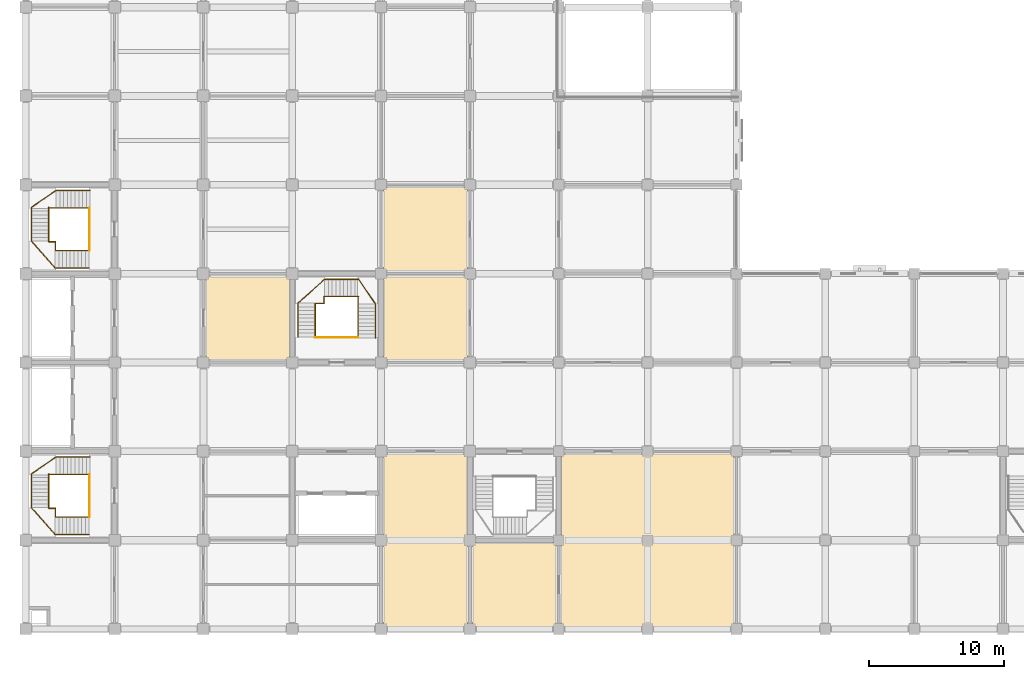
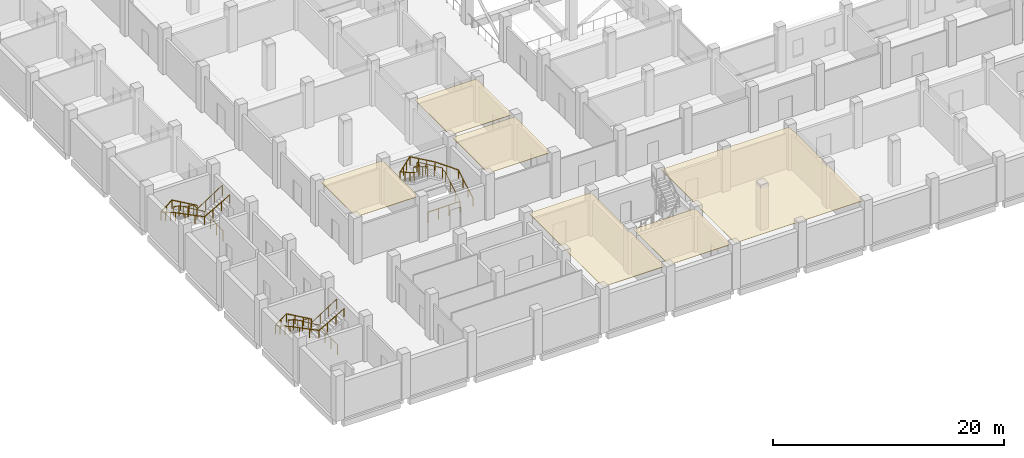
# One storey, part 31 of 34: 9 railings, 6 coverings.
"""IFC4 building model written with IfcOpenShell, lengths in metres."""

from ifc_helpers import new_model, si_unit, direction, frame, origin, origin_2d, place, context, subcontext, project, spatial, polyline, circle, outline, extrude, material, layer, layer_set, type_object, element, save


model = new_model("IFC4")

# Units and contexts
model_context = context("Model", 3, precision=1e-05, world=origin(), true_north=direction((0.0, 1.0)))
body_context = subcontext(model_context, "Body", "Model", "MODEL_VIEW")
ifc_project = project(units=[si_unit("LENGTHUNIT", "METRE"), si_unit("AREAUNIT", "SQUARE_METRE"), si_unit("VOLUMEUNIT", "CUBIC_METRE"), si_unit("PLANEANGLEUNIT", "RADIAN"), si_unit("MASSUNIT", "GRAM", prefix="KILO")], contexts=[model_context])

# Site, building, storey
site_placement = place(None, origin())
site = spatial("IfcSite", under=ifc_project, at=site_placement, CompositionType="ELEMENT")
building_placement = place(site_placement, origin())
building = spatial("IfcBuilding", under=site, at=building_placement, Name="Rusizi Kubbe Research Institute", CompositionType="ELEMENT")
storey_placement = place(building_placement, frame((0.0, 0.0, 5.39990234375)))
storey = spatial("IfcBuildingStorey", under=building, at=storey_placement, Name="L01", CompositionType="ELEMENT", Elevation=5.39990234375)

# Coverings
ifc_material_1 = material(Name="Mineral-Fibre Acoustic Laboratory Ceiling", Category="masonry")
ifc_layer_1 = layer(ifc_material_1, 0.0400390625)
ifc_layer_set_1 = layer_set([ifc_layer_1], Name="Mineral-Fibre Acoustic Laboratory Ceiling")
covering_type_1 = type_object("IfcCoveringType", Name="CL-ACOUSTIC", PredefinedType="CEILING", material=ifc_layer_set_1)
covering_1_placement = place(storey_placement, frame((0.0, 0.0, 4.41015625)))
element("IfcCovering", 1, at=covering_1_placement, inside=storey, type_object=covering_type_1, Name="Write-up Office Ceiling L01-ELBW-03", PredefinedType="CEILING", context=body_context, shape_type="SweptSolid", body=[
    extrude(outline(polyline([(26.590087890625, 19.989990234375), (32.81005859375, 19.989990234375), (32.81005859375, 26.2099609375), (26.590087890625, 26.2099609375), (26.590087890625, 19.989990234375)])), origin(), (0.0, 0.0, 1.0), 0.0400390625),
])
covering_2_placement = place(storey_placement, frame((0.0, 0.0, 4.41015625)))
element("IfcCovering", 2, at=covering_2_placement, inside=storey, type_object=covering_type_1, Name="Write-up Office Ceiling L01-ELBW-04", PredefinedType="CEILING", context=body_context, shape_type="SweptSolid", body=[
    extrude(outline(polyline([(26.590087890625, 26.590087890625), (32.81005859375, 26.590087890625), (32.81005859375, 32.81005859375), (26.590087890625, 32.81005859375), (26.590087890625, 26.590087890625)])), origin(), (0.0, 0.0, 1.0), 0.0400390625),
])
covering_3_placement = place(storey_placement, frame((0.0, 0.0, 4.41015625)))
element("IfcCovering", 3, at=covering_3_placement, inside=storey, type_object=covering_type_1, Name="Seminar Room Ceiling L01-NW-01", PredefinedType="CEILING", context=body_context, shape_type="SweptSolid", body=[
    extrude(outline(polyline([(13.389892578125, 19.989990234375), (19.610107421875, 19.989990234375), (19.610107421875, 26.2099609375), (13.389892578125, 26.2099609375), (13.389892578125, 19.989990234375)])), origin(), (0.0, 0.0, 1.0), 0.0400390625),
])
covering_4_placement = place(storey_placement, frame((0.0, 0.0, 4.41015625)))
element("IfcCovering", 4, at=covering_4_placement, inside=storey, type_object=covering_type_1, Name="Catalysis Wet Laboratory Ceiling L01-EWS-02", PredefinedType="CEILING", context=body_context, shape_type="SweptSolid", body=[
    extrude(outline(polyline([(39.7900390625, 0.18994140625), (52.610107421875, 0.18994140625), (52.610107421875, 13.010009765625), (39.7900390625, 13.010009765625), (39.7900390625, 0.18994140625)])), origin(), (0.0, 0.0, 1.0), 0.0400390625),
])
covering_5_placement = place(storey_placement, frame((0.0, 0.0, 4.41015625)))
element("IfcCovering", 5, at=covering_5_placement, inside=storey, type_object=covering_type_1, Name="Laboratory Instrument Support Room Ceiling L01-EWU-05", PredefinedType="CEILING", context=body_context, shape_type="SweptSolid", body=[
    extrude(outline(polyline([(33.18994140625, 0.18994140625), (39.409912109375, 0.18994140625), (39.409912109375, 6.409912109375), (33.18994140625, 6.409912109375), (33.18994140625, 0.18994140625)])), origin(), (0.0, 0.0, 1.0), 0.0400390625),
])
ifc_material_2 = material(Name="Flush Cleanroom Aluminium HEPA Ceiling Grid", Category="aluminium")
ifc_layer_2 = layer(ifc_material_2, 0.044921875)
ifc_layer_set_2 = layer_set([ifc_layer_2], Name="Flush Cleanroom Aluminium HEPA Ceiling Grid")
covering_type_2 = type_object("IfcCoveringType", Name="CL-HEPA", PredefinedType="CEILING", material=ifc_layer_set_2)
covering_6_placement = place(storey_placement, frame((0.0, 0.0, 4.405029296875)))
element("IfcCovering", 6, at=covering_6_placement, inside=storey, type_object=covering_type_2, Name="Clean Room Process Suite Ceiling L01-EWS-01", PredefinedType="CEILING", context=body_context, shape_type="SweptSolid", body=[
    extrude(outline(polyline([(26.590087890625, 0.18994140625), (32.81005859375, 0.18994140625), (32.81005859375, 13.010009765625), (26.590087890625, 13.010009765625), (26.590087890625, 0.18994140625)])), origin(), (0.0, 0.0, 1.0), 0.045166015625),
])

# Railings
ifc_material_3 = material(Name="Painted Steel Stair Guard", Category="steel")
railing_type_1 = type_object("IfcRailingType", Name="GR-STAIR", PredefinedType="GUARDRAIL", material=ifc_material_3)
railing_1_placement = place(storey_placement, frame((4.780029296875, 11.489990234375, 0.080078125)))
element("IfcRailing", 7, at=railing_1_placement, inside=storey, type_object=railing_type_1, Name="Stair Inner Well Guard ST1 L01", PredefinedType="GUARDRAIL", context=body_context, shape_type="SweptSolid", body=[
    extrude(circle(Radius=0.02392578125, at=origin_2d()), frame((0.0, 0.0, 1.09619140625), z_axis=(-0.859856993665, 0.0, 0.510534964959), x_axis=(0.0, -1.0, 0.0)), (0.0, 0.0, 1.0), 2.977294921875),
    extrude(circle(Radius=0.02392578125, at=origin_2d()), frame((-2.56005859375, 0.0, 2.6162109375), z_axis=(-1.0, 0.0, 0.0), x_axis=(0.0, -1.0, 0.0)), (0.0, 0.0, 1.0), 0.510009765625),
    extrude(circle(Radius=0.02392578125, at=origin_2d()), frame((-3.070068359375, 0.0, 2.6162109375), z_axis=(0.0, 0.4472135955, 0.894427191), x_axis=(-1.0, 0.0, 0.0)), (0.0, 0.0, 1.0), 0.089599609375),
    extrude(circle(Radius=0.02392578125, at=origin_2d()), frame((-3.070068359375, 0.0400390625, 2.6962890625), z_axis=(0.0, -0.856290143798, 0.516495101268), x_axis=(1.0, 0.0, 0.0)), (0.0, 0.0, 1.0), 2.94287109375),
    extrude(circle(Radius=0.02392578125, at=origin_2d()), frame((-3.070068359375, -2.47998046875, 4.21630859375), z_axis=(0.0, -1.0, 0.0), x_axis=(1.0, 0.0, 0.0)), (0.0, 0.0, 1.0), 0.0400390625),
    extrude(circle(Radius=0.02392578125, at=origin_2d()), frame((-3.070068359375, -2.52001953125, 4.21630859375), z_axis=(1.0, 0.0, 0.0), x_axis=(0.0, 1.0, 0.0)), (0.0, 0.0, 1.0), 0.510009765625),
    extrude(circle(Radius=0.02392578125, at=origin_2d()), frame((-2.56005859375, -2.52001953125, 4.21630859375), z_axis=(0.0, -1.0, 0.0), x_axis=(1.0, 0.0, 0.0)), (0.0, 0.0, 1.0), 0.659912109375),
    extrude(circle(Radius=0.02392578125, at=origin_2d()), frame((-2.56005859375, -3.179931640625, 4.21630859375), z_axis=(0.840317313588, 0.0, 0.542094837167), x_axis=(0.0, 1.0, 0.0)), (0.0, 0.0, 1.0), 2.951171875),
    extrude(circle(Radius=0.02099609375, at=origin_2d()), origin(), (0.0, 0.0, 1.0), 1.072021484375),
    extrude(circle(Radius=0.02099609375, at=origin_2d()), frame((-0.853271484375, 0.0, 0.506591796875)), (0.0, 0.0, 1.0), 1.072021484375),
    extrude(circle(Radius=0.02099609375, at=origin_2d()), frame((-1.706787109375, 0.0, 1.013427734375)), (0.0, 0.0, 1.0), 1.072021484375),
    extrude(circle(Radius=0.02099609375, at=origin_2d()), frame((-2.56005859375, 0.0, 1.52001953125)), (0.0, 0.0, 1.0), 1.072021484375),
    extrude(circle(Radius=0.02099609375, at=origin_2d()), frame((-3.070068359375, 0.0, 1.52001953125)), (0.0, 0.0, 1.0), 1.072021484375),
    extrude(circle(Radius=0.02099609375, at=origin_2d()), frame((-3.070068359375, 0.0400390625, 1.60009765625)), (0.0, 0.0, 1.0), 1.072021484375),
    extrude(circle(Radius=0.02099609375, at=origin_2d()), frame((-3.070068359375, -0.800048828125, 2.106689453125)), (0.0, 0.0, 1.0), 1.072021484375),
    extrude(circle(Radius=0.02099609375, at=origin_2d()), frame((-3.070068359375, -1.639892578125, 2.613525390625)), (0.0, 0.0, 1.0), 1.072021484375),
    extrude(circle(Radius=0.02099609375, at=origin_2d()), frame((-3.070068359375, -2.47998046875, 3.1201171875)), (0.0, 0.0, 1.0), 1.072021484375),
    extrude(circle(Radius=0.02099609375, at=origin_2d()), frame((-3.070068359375, -2.52001953125, 3.1201171875)), (0.0, 0.0, 1.0), 1.072021484375),
    extrude(circle(Radius=0.02099609375, at=origin_2d()), frame((-2.56005859375, -2.52001953125, 3.1201171875)), (0.0, 0.0, 1.0), 1.072021484375),
    extrude(circle(Radius=0.02099609375, at=origin_2d()), frame((-2.56005859375, -3.179931640625, 3.1201171875)), (0.0, 0.0, 1.0), 1.072021484375),
    extrude(circle(Radius=0.02099609375, at=origin_2d()), frame((-1.7333984375, -3.179931640625, 3.6533203125)), (0.0, 0.0, 1.0), 1.072021484375),
    extrude(circle(Radius=0.02099609375, at=origin_2d()), frame((-0.90673828125, -3.179931640625, 4.186767578125)), (0.0, 0.0, 1.0), 1.072021484375),
    extrude(circle(Radius=0.02099609375, at=origin_2d()), frame((-0.080078125, -3.179931640625, 4.719970703125)), (0.0, 0.0, 1.0), 1.072021484375),
])
railing_2_placement = place(storey_placement, frame((4.75, 11.489990234375, 0.0)))
element("IfcRailing", 8, at=railing_2_placement, inside=storey, type_object=railing_type_1, Name="Stair Floor Edge Guard ST1 L01", PredefinedType="GUARDRAIL", context=body_context, shape_type="SweptSolid", body=[
    extrude(circle(Radius=0.02392578125, at=origin_2d()), frame((0.0, 0.0, 1.09619140625), z_axis=(0.0, -1.0, 0.0), x_axis=(1.0, 0.0, 0.0)), (0.0, 0.0, 1.0), 3.179931640625),
    extrude(circle(Radius=0.02099609375, at=origin_2d()), origin(), (0.0, 0.0, 1.0), 1.072021484375),
    extrude(circle(Radius=0.02099609375, at=origin_2d()), frame((0.0, -1.06005859375, 0.0)), (0.0, 0.0, 1.0), 1.072021484375),
    extrude(circle(Radius=0.02099609375, at=origin_2d()), frame((0.0, -2.119873046875, 0.0)), (0.0, 0.0, 1.0), 1.072021484375),
    extrude(circle(Radius=0.02099609375, at=origin_2d()), frame((0.0, -3.179931640625, 0.0)), (0.0, 0.0, 1.0), 1.072021484375),
])
railing_3_placement = place(storey_placement, frame((4.780029296875, 31.2900390625, 0.080078125)))
element("IfcRailing", 9, at=railing_3_placement, inside=storey, type_object=railing_type_1, Name="Stair Inner Well Guard ST2 L01", PredefinedType="GUARDRAIL", context=body_context, shape_type="SweptSolid", body=[
    extrude(circle(Radius=0.02392578125, at=origin_2d()), frame((0.0, 0.0, 1.09619140625), z_axis=(-0.859856993665, 0.0, 0.510534964959), x_axis=(0.0, -1.0, 0.0)), (0.0, 0.0, 1.0), 2.977294921875),
    extrude(circle(Radius=0.02392578125, at=origin_2d()), frame((-2.56005859375, 0.0, 2.6162109375), z_axis=(-1.0, 0.0, 0.0), x_axis=(0.0, -1.0, 0.0)), (0.0, 0.0, 1.0), 0.510009765625),
    extrude(circle(Radius=0.02392578125, at=origin_2d()), frame((-3.070068359375, 0.0, 2.6162109375), z_axis=(0.0, 0.4472135955, 0.894427191), x_axis=(-1.0, 0.0, 0.0)), (0.0, 0.0, 1.0), 0.089599609375),
    extrude(circle(Radius=0.02392578125, at=origin_2d()), frame((-3.070068359375, 0.0400390625, 2.6962890625), z_axis=(0.0, -0.856290143798, 0.516495101268), x_axis=(1.0, 0.0, 0.0)), (0.0, 0.0, 1.0), 2.94287109375),
    extrude(circle(Radius=0.02392578125, at=origin_2d()), frame((-3.070068359375, -2.47998046875, 4.21630859375), z_axis=(0.0, -1.0, 0.0), x_axis=(1.0, 0.0, 0.0)), (0.0, 0.0, 1.0), 0.0400390625),
    extrude(circle(Radius=0.02392578125, at=origin_2d()), frame((-3.070068359375, -2.52001953125, 4.21630859375), z_axis=(1.0, 0.0, 0.0), x_axis=(0.0, 1.0, 0.0)), (0.0, 0.0, 1.0), 0.510009765625),
    extrude(circle(Radius=0.02392578125, at=origin_2d()), frame((-2.56005859375, -2.52001953125, 4.21630859375), z_axis=(0.0, -1.0, 0.0), x_axis=(1.0, 0.0, 0.0)), (0.0, 0.0, 1.0), 0.659912109375),
    extrude(circle(Radius=0.02392578125, at=origin_2d()), frame((-2.56005859375, -3.179931640625, 4.21630859375), z_axis=(0.840317313588, 0.0, 0.542094837167), x_axis=(0.0, 1.0, 0.0)), (0.0, 0.0, 1.0), 2.951171875),
    extrude(circle(Radius=0.02099609375, at=origin_2d()), origin(), (0.0, 0.0, 1.0), 1.072021484375),
    extrude(circle(Radius=0.02099609375, at=origin_2d()), frame((-0.853271484375, 0.0, 0.506591796875)), (0.0, 0.0, 1.0), 1.072021484375),
    extrude(circle(Radius=0.02099609375, at=origin_2d()), frame((-1.706787109375, 0.0, 1.013427734375)), (0.0, 0.0, 1.0), 1.072021484375),
    extrude(circle(Radius=0.02099609375, at=origin_2d()), frame((-2.56005859375, 0.0, 1.52001953125)), (0.0, 0.0, 1.0), 1.072021484375),
    extrude(circle(Radius=0.02099609375, at=origin_2d()), frame((-3.070068359375, 0.0, 1.52001953125)), (0.0, 0.0, 1.0), 1.072021484375),
    extrude(circle(Radius=0.02099609375, at=origin_2d()), frame((-3.070068359375, 0.0400390625, 1.60009765625)), (0.0, 0.0, 1.0), 1.072021484375),
    extrude(circle(Radius=0.02099609375, at=origin_2d()), frame((-3.070068359375, -0.800048828125, 2.106689453125)), (0.0, 0.0, 1.0), 1.072021484375),
    extrude(circle(Radius=0.02099609375, at=origin_2d()), frame((-3.070068359375, -1.639892578125, 2.613525390625)), (0.0, 0.0, 1.0), 1.072021484375),
    extrude(circle(Radius=0.02099609375, at=origin_2d()), frame((-3.070068359375, -2.47998046875, 3.1201171875)), (0.0, 0.0, 1.0), 1.072021484375),
    extrude(circle(Radius=0.02099609375, at=origin_2d()), frame((-3.070068359375, -2.52001953125, 3.1201171875)), (0.0, 0.0, 1.0), 1.072021484375),
    extrude(circle(Radius=0.02099609375, at=origin_2d()), frame((-2.56005859375, -2.52001953125, 3.1201171875)), (0.0, 0.0, 1.0), 1.072021484375),
    extrude(circle(Radius=0.02099609375, at=origin_2d()), frame((-2.56005859375, -3.179931640625, 3.1201171875)), (0.0, 0.0, 1.0), 1.072021484375),
    extrude(circle(Radius=0.02099609375, at=origin_2d()), frame((-1.7333984375, -3.179931640625, 3.6533203125)), (0.0, 0.0, 1.0), 1.072021484375),
    extrude(circle(Radius=0.02099609375, at=origin_2d()), frame((-0.90673828125, -3.179931640625, 4.186767578125)), (0.0, 0.0, 1.0), 1.072021484375),
    extrude(circle(Radius=0.02099609375, at=origin_2d()), frame((-0.080078125, -3.179931640625, 4.719970703125)), (0.0, 0.0, 1.0), 1.072021484375),
])
railing_4_placement = place(storey_placement, frame((4.75, 31.2900390625, 0.0)))
element("IfcRailing", 10, at=railing_4_placement, inside=storey, type_object=railing_type_1, Name="Stair Floor Edge Guard ST2 L01", PredefinedType="GUARDRAIL", context=body_context, shape_type="SweptSolid", body=[
    extrude(circle(Radius=0.02392578125, at=origin_2d()), frame((0.0, 0.0, 1.09619140625), z_axis=(0.0, -1.0, 0.0), x_axis=(1.0, 0.0, 0.0)), (0.0, 0.0, 1.0), 3.179931640625),
    extrude(circle(Radius=0.02099609375, at=origin_2d()), origin(), (0.0, 0.0, 1.0), 1.072021484375),
    extrude(circle(Radius=0.02099609375, at=origin_2d()), frame((0.0, -1.06005859375, 0.0)), (0.0, 0.0, 1.0), 1.072021484375),
    extrude(circle(Radius=0.02099609375, at=origin_2d()), frame((0.0, -2.119873046875, 0.0)), (0.0, 0.0, 1.0), 1.072021484375),
    extrude(circle(Radius=0.02099609375, at=origin_2d()), frame((0.0, -3.179931640625, 0.0)), (0.0, 0.0, 1.0), 1.072021484375),
])
railing_5_placement = place(storey_placement, frame((24.68994140625, 21.6201171875, 0.080078125)))
element("IfcRailing", 11, at=railing_5_placement, inside=storey, type_object=railing_type_1, Name="Stair Inner Well Guard ST3 L01", PredefinedType="GUARDRAIL", context=body_context, shape_type="SweptSolid", body=[
    extrude(circle(Radius=0.02392578125, at=origin_2d()), frame((0.0, 0.0, 1.09619140625), z_axis=(0.0, 0.859835618312, 0.510570964198), x_axis=(-1.0, 0.0, 0.0)), (0.0, 0.0, 1.0), 2.97705078125),
    extrude(circle(Radius=0.02392578125, at=origin_2d()), frame((0.0, 2.559814453125, 2.6162109375), z_axis=(0.0, 1.0, 0.0), x_axis=(-1.0, 0.0, 0.0)), (0.0, 0.0, 1.0), 0.510009765625),
    extrude(circle(Radius=0.02392578125, at=origin_2d()), frame((0.0, 3.06982421875, 2.6162109375), z_axis=(0.4472135955, 0.0, 0.894427191), x_axis=(0.0, 1.0, 0.0)), (0.0, 0.0, 1.0), 0.089599609375),
    extrude(circle(Radius=0.02392578125, at=origin_2d()), frame((0.0400390625, 3.06982421875, 2.6962890625), z_axis=(-0.856290143798, 0.0, 0.516495101268), x_axis=(0.0, -1.0, 0.0)), (0.0, 0.0, 1.0), 2.94287109375),
    extrude(circle(Radius=0.02392578125, at=origin_2d()), frame((-2.47998046875, 3.06982421875, 4.21630859375), z_axis=(-1.0, 0.0, 0.0), x_axis=(0.0, -1.0, 0.0)), (0.0, 0.0, 1.0), 0.0400390625),
    extrude(circle(Radius=0.02392578125, at=origin_2d()), frame((-2.52001953125, 3.06982421875, 4.21630859375), z_axis=(0.0, -1.0, 0.0), x_axis=(1.0, 0.0, 0.0)), (0.0, 0.0, 1.0), 0.510009765625),
    extrude(circle(Radius=0.02392578125, at=origin_2d()), frame((-2.52001953125, 2.559814453125, 4.21630859375), z_axis=(-1.0, 0.0, 0.0), x_axis=(0.0, -1.0, 0.0)), (0.0, 0.0, 1.0), 0.659912109375),
    extrude(circle(Radius=0.02392578125, at=origin_2d()), frame((-3.179931640625, 2.559814453125, 4.21630859375), z_axis=(0.0, -0.840317313588, 0.542094837167), x_axis=(1.0, 0.0, 0.0)), (0.0, 0.0, 1.0), 2.951171875),
    extrude(circle(Radius=0.02099609375, at=origin_2d()), origin(), (0.0, 0.0, 1.0), 1.072021484375),
    extrude(circle(Radius=0.02099609375, at=origin_2d()), frame((0.0, 0.853271484375, 0.506591796875)), (0.0, 0.0, 1.0), 1.072021484375),
    extrude(circle(Radius=0.02099609375, at=origin_2d()), frame((0.0, 1.70654296875, 1.013427734375)), (0.0, 0.0, 1.0), 1.072021484375),
    extrude(circle(Radius=0.02099609375, at=origin_2d()), frame((0.0, 2.559814453125, 1.52001953125)), (0.0, 0.0, 1.0), 1.072021484375),
    extrude(circle(Radius=0.02099609375, at=origin_2d()), frame((0.0, 3.06982421875, 1.52001953125)), (0.0, 0.0, 1.0), 1.072021484375),
    extrude(circle(Radius=0.02099609375, at=origin_2d()), frame((0.0400390625, 3.06982421875, 1.60009765625)), (0.0, 0.0, 1.0), 1.072021484375),
    extrude(circle(Radius=0.02099609375, at=origin_2d()), frame((-0.800048828125, 3.06982421875, 2.106689453125)), (0.0, 0.0, 1.0), 1.072021484375),
    extrude(circle(Radius=0.02099609375, at=origin_2d()), frame((-1.639892578125, 3.06982421875, 2.613525390625)), (0.0, 0.0, 1.0), 1.072021484375),
    extrude(circle(Radius=0.02099609375, at=origin_2d()), frame((-2.47998046875, 3.06982421875, 3.1201171875)), (0.0, 0.0, 1.0), 1.072021484375),
    extrude(circle(Radius=0.02099609375, at=origin_2d()), frame((-2.52001953125, 3.06982421875, 3.1201171875)), (0.0, 0.0, 1.0), 1.072021484375),
    extrude(circle(Radius=0.02099609375, at=origin_2d()), frame((-2.52001953125, 2.559814453125, 3.1201171875)), (0.0, 0.0, 1.0), 1.072021484375),
    extrude(circle(Radius=0.02099609375, at=origin_2d()), frame((-3.179931640625, 2.559814453125, 3.1201171875)), (0.0, 0.0, 1.0), 1.072021484375),
    extrude(circle(Radius=0.02099609375, at=origin_2d()), frame((-3.179931640625, 1.733154296875, 3.6533203125)), (0.0, 0.0, 1.0), 1.072021484375),
    extrude(circle(Radius=0.02099609375, at=origin_2d()), frame((-3.179931640625, 0.906494140625, 4.186767578125)), (0.0, 0.0, 1.0), 1.072021484375),
    extrude(circle(Radius=0.02099609375, at=origin_2d()), frame((-3.179931640625, 0.079833984375, 4.719970703125)), (0.0, 0.0, 1.0), 1.072021484375),
])
railing_6_placement = place(storey_placement, frame((24.68994140625, 21.64990234375, 0.0)))
element("IfcRailing", 12, at=railing_6_placement, inside=storey, type_object=railing_type_1, Name="Stair Floor Edge Guard ST3 L01", PredefinedType="GUARDRAIL", context=body_context, shape_type="SweptSolid", body=[
    extrude(circle(Radius=0.02392578125, at=origin_2d()), frame((0.0, 0.0, 1.09619140625), z_axis=(-1.0, 0.0, 0.0), x_axis=(0.0, -1.0, 0.0)), (0.0, 0.0, 1.0), 3.179931640625),
    extrude(circle(Radius=0.02099609375, at=origin_2d()), origin(), (0.0, 0.0, 1.0), 1.072021484375),
    extrude(circle(Radius=0.02099609375, at=origin_2d()), frame((-1.06005859375, 0.0, 0.0)), (0.0, 0.0, 1.0), 1.072021484375),
    extrude(circle(Radius=0.02099609375, at=origin_2d()), frame((-2.119873046875, 0.0, 0.0)), (0.0, 0.0, 1.0), 1.072021484375),
    extrude(circle(Radius=0.02099609375, at=origin_2d()), frame((-3.179931640625, 0.0, 0.0)), (0.0, 0.0, 1.0), 1.072021484375),
])
ifc_material_4 = material(Name="Brushed Stainless Steel Handrail", Category="steel")
railing_type_2 = type_object("IfcRailingType", Name="HR-STAIR", PredefinedType="HANDRAIL", material=ifc_material_4)
railing_7_placement = place(storey_placement, frame((4.780029296875, 12.780029296875, 0.16015625)))
element("IfcRailing", 13, at=railing_7_placement, inside=storey, type_object=railing_type_2, Name="Stair Wall Handrail ST1 L01", PredefinedType="HANDRAIL", context=body_context, shape_type="SweptSolid", body=[
    extrude(circle(Radius=0.02392578125, at=origin_2d()), frame((0.0, 0.0, 0.8759765625), z_axis=(-0.868253494771, 0.0, 0.496120820787), x_axis=(0.0, -1.0, 0.0)), (0.0, 0.0, 1.0), 2.90234375),
    extrude(circle(Radius=0.02392578125, at=origin_2d()), frame((-2.52001953125, 0.0, 2.31591796875), z_axis=(-0.825060661781, -0.560476394894, 0.07170157005), x_axis=(0.561922710889, -0.82718974062, 0.0)), (0.0, 0.0, 1.0), 2.230224609375),
    extrude(circle(Radius=0.02392578125, at=origin_2d()), frame((-4.360107421875, -1.25, 2.4755859375), z_axis=(0.0, -0.868217259934, 0.496184229447), x_axis=(1.0, 0.0, 0.0)), (0.0, 0.0, 1.0), 2.902587890625),
    extrude(circle(Radius=0.02392578125, at=origin_2d()), frame((-4.360107421875, -3.77001953125, 3.916015625), z_axis=(0.662587075021, -0.746578275988, 0.059993714976), x_axis=(0.747925473127, 0.663782710416, 0.0)), (0.0, 0.0, 1.0), 2.66552734375),
    extrude(circle(Radius=0.02392578125, at=origin_2d()), frame((-2.593994140625, -5.760009765625, 4.07568359375), z_axis=(0.867734470008, 0.0, 0.497028057115), x_axis=(0.0, 1.0, 0.0)), (0.0, 0.0, 1.0), 2.897216796875),
    extrude(circle(Radius=0.02099609375, at=origin_2d()), origin(), (0.0, 0.0, 1.0), 0.851806640625),
    extrude(circle(Radius=0.02099609375, at=origin_2d()), frame((-0.840087890625, 0.0, 0.47998046875)), (0.0, 0.0, 1.0), 0.851806640625),
    extrude(circle(Radius=0.02099609375, at=origin_2d()), frame((-1.679931640625, 0.0, 0.9599609375)), (0.0, 0.0, 1.0), 0.851806640625),
    extrude(circle(Radius=0.02099609375, at=origin_2d()), frame((-2.52001953125, 0.0, 1.43994140625)), (0.0, 0.0, 1.0), 0.851806640625),
    extrude(circle(Radius=0.02099609375, at=origin_2d()), frame((-3.43994140625, -0.625, 1.52001953125)), (0.0, 0.0, 1.0), 0.851806640625),
    extrude(circle(Radius=0.02099609375, at=origin_2d()), frame((-4.360107421875, -1.25, 1.599853515625)), (0.0, 0.0, 1.0), 0.851806640625),
    extrude(circle(Radius=0.02099609375, at=origin_2d()), frame((-4.360107421875, -2.090087890625, 2.079833984375)), (0.0, 0.0, 1.0), 0.851806640625),
    extrude(circle(Radius=0.02099609375, at=origin_2d()), frame((-4.360107421875, -2.929931640625, 2.56005859375)), (0.0, 0.0, 1.0), 0.851806640625),
    extrude(circle(Radius=0.02099609375, at=origin_2d()), frame((-4.360107421875, -3.77001953125, 3.0400390625)), (0.0, 0.0, 1.0), 0.851806640625),
    extrude(circle(Radius=0.02099609375, at=origin_2d()), frame((-3.771484375, -4.433349609375, 3.09326171875)), (0.0, 0.0, 1.0), 0.851806640625),
    extrude(circle(Radius=0.02099609375, at=origin_2d()), frame((-3.1826171875, -5.0966796875, 3.146728515625)), (0.0, 0.0, 1.0), 0.851806640625),
    extrude(circle(Radius=0.02099609375, at=origin_2d()), frame((-2.593994140625, -5.760009765625, 3.199951171875)), (0.0, 0.0, 1.0), 0.851806640625),
    extrude(circle(Radius=0.02099609375, at=origin_2d()), frame((-1.756103515625, -5.760009765625, 3.679931640625)), (0.0, 0.0, 1.0), 0.851806640625),
    extrude(circle(Radius=0.02099609375, at=origin_2d()), frame((-0.91796875, -5.760009765625, 4.159912109375)), (0.0, 0.0, 1.0), 0.851806640625),
    extrude(circle(Radius=0.02099609375, at=origin_2d()), frame((-0.080078125, -5.760009765625, 4.639892578125)), (0.0, 0.0, 1.0), 0.851806640625),
])
railing_8_placement = place(storey_placement, frame((4.780029296875, 32.580078125, 0.16015625)))
element("IfcRailing", 14, at=railing_8_placement, inside=storey, type_object=railing_type_2, Name="Stair Wall Handrail ST2 L01", PredefinedType="HANDRAIL", context=body_context, shape_type="SweptSolid", body=[
    extrude(circle(Radius=0.02392578125, at=origin_2d()), frame((0.0, 0.0, 0.8759765625), z_axis=(-0.868253494771, 0.0, 0.496120820787), x_axis=(0.0, -1.0, 0.0)), (0.0, 0.0, 1.0), 2.90234375),
    extrude(circle(Radius=0.02392578125, at=origin_2d()), frame((-2.52001953125, 0.0, 2.31591796875), z_axis=(-0.825060661781, -0.560476394894, 0.07170157005), x_axis=(0.561922710889, -0.82718974062, 0.0)), (0.0, 0.0, 1.0), 2.230224609375),
    extrude(circle(Radius=0.02392578125, at=origin_2d()), frame((-4.360107421875, -1.25, 2.4755859375), z_axis=(0.0, -0.868217259934, 0.496184229447), x_axis=(1.0, 0.0, 0.0)), (0.0, 0.0, 1.0), 2.902587890625),
    extrude(circle(Radius=0.02392578125, at=origin_2d()), frame((-4.360107421875, -3.77001953125, 3.916015625), z_axis=(0.662587075021, -0.746578275988, 0.059993714976), x_axis=(0.747925473127, 0.663782710416, 0.0)), (0.0, 0.0, 1.0), 2.66552734375),
    extrude(circle(Radius=0.02392578125, at=origin_2d()), frame((-2.593994140625, -5.760009765625, 4.07568359375), z_axis=(0.867734470008, 0.0, 0.497028057115), x_axis=(0.0, 1.0, 0.0)), (0.0, 0.0, 1.0), 2.897216796875),
    extrude(circle(Radius=0.02099609375, at=origin_2d()), origin(), (0.0, 0.0, 1.0), 0.851806640625),
    extrude(circle(Radius=0.02099609375, at=origin_2d()), frame((-0.840087890625, 0.0, 0.47998046875)), (0.0, 0.0, 1.0), 0.851806640625),
    extrude(circle(Radius=0.02099609375, at=origin_2d()), frame((-1.679931640625, 0.0, 0.9599609375)), (0.0, 0.0, 1.0), 0.851806640625),
    extrude(circle(Radius=0.02099609375, at=origin_2d()), frame((-2.52001953125, 0.0, 1.43994140625)), (0.0, 0.0, 1.0), 0.851806640625),
    extrude(circle(Radius=0.02099609375, at=origin_2d()), frame((-3.43994140625, -0.625, 1.52001953125)), (0.0, 0.0, 1.0), 0.851806640625),
    extrude(circle(Radius=0.02099609375, at=origin_2d()), frame((-4.360107421875, -1.25, 1.599853515625)), (0.0, 0.0, 1.0), 0.851806640625),
    extrude(circle(Radius=0.02099609375, at=origin_2d()), frame((-4.360107421875, -2.090087890625, 2.079833984375)), (0.0, 0.0, 1.0), 0.851806640625),
    extrude(circle(Radius=0.02099609375, at=origin_2d()), frame((-4.360107421875, -2.929931640625, 2.56005859375)), (0.0, 0.0, 1.0), 0.851806640625),
    extrude(circle(Radius=0.02099609375, at=origin_2d()), frame((-4.360107421875, -3.77001953125, 3.0400390625)), (0.0, 0.0, 1.0), 0.851806640625),
    extrude(circle(Radius=0.02099609375, at=origin_2d()), frame((-3.771484375, -4.433349609375, 3.09326171875)), (0.0, 0.0, 1.0), 0.851806640625),
    extrude(circle(Radius=0.02099609375, at=origin_2d()), frame((-3.1826171875, -5.0966796875, 3.146728515625)), (0.0, 0.0, 1.0), 0.851806640625),
    extrude(circle(Radius=0.02099609375, at=origin_2d()), frame((-2.593994140625, -5.760009765625, 3.199951171875)), (0.0, 0.0, 1.0), 0.851806640625),
    extrude(circle(Radius=0.02099609375, at=origin_2d()), frame((-1.756103515625, -5.760009765625, 3.679931640625)), (0.0, 0.0, 1.0), 0.851806640625),
    extrude(circle(Radius=0.02099609375, at=origin_2d()), frame((-0.91796875, -5.760009765625, 4.159912109375)), (0.0, 0.0, 1.0), 0.851806640625),
    extrude(circle(Radius=0.02099609375, at=origin_2d()), frame((-0.080078125, -5.760009765625, 4.639892578125)), (0.0, 0.0, 1.0), 0.851806640625),
])
railing_9_placement = place(storey_placement, frame((25.97998046875, 21.6201171875, 0.16015625)))
element("IfcRailing", 15, at=railing_9_placement, inside=storey, type_object=railing_type_2, Name="Stair Wall Handrail ST3 L01", PredefinedType="HANDRAIL", context=body_context, shape_type="SweptSolid", body=[
    extrude(circle(Radius=0.02392578125, at=origin_2d()), frame((0.0, 0.0, 0.8759765625), z_axis=(0.0, 0.868232788344, 0.496157057034), x_axis=(-1.0, 0.0, 0.0)), (0.0, 0.0, 1.0), 2.902099609375),
    extrude(circle(Radius=0.02392578125, at=origin_2d()), frame((0.0, 2.519775390625, 2.31591796875), z_axis=(-0.560476394894, 0.825060661781, 0.07170157005), x_axis=(-0.82718974062, -0.561922710889, 0.0)), (0.0, 0.0, 1.0), 2.230224609375),
    extrude(circle(Radius=0.02392578125, at=origin_2d()), frame((-1.25, 4.35986328125, 2.4755859375), z_axis=(-0.868217259934, 0.0, 0.496184229447), x_axis=(0.0, -1.0, 0.0)), (0.0, 0.0, 1.0), 2.902587890625),
    extrude(circle(Radius=0.02392578125, at=origin_2d()), frame((-3.77001953125, 4.35986328125, 3.916015625), z_axis=(-0.746623585802, -0.662535688395, 0.059997355993), x_axis=(0.663731376575, -0.747971028683, 0.0)), (0.0, 0.0, 1.0), 2.665283203125),
    extrude(circle(Radius=0.02392578125, at=origin_2d()), frame((-5.760009765625, 2.593994140625, 4.07568359375), z_axis=(0.0, -0.867755285675, 0.496991714402), x_axis=(1.0, 0.0, 0.0)), (0.0, 0.0, 1.0), 2.897216796875),
    extrude(circle(Radius=0.02099609375, at=origin_2d()), origin(), (0.0, 0.0, 1.0), 0.851806640625),
    extrude(circle(Radius=0.02099609375, at=origin_2d()), frame((0.0, 0.83984375, 0.47998046875)), (0.0, 0.0, 1.0), 0.851806640625),
    extrude(circle(Radius=0.02099609375, at=origin_2d()), frame((0.0, 1.679931640625, 0.9599609375)), (0.0, 0.0, 1.0), 0.851806640625),
    extrude(circle(Radius=0.02099609375, at=origin_2d()), frame((0.0, 2.519775390625, 1.43994140625)), (0.0, 0.0, 1.0), 0.851806640625),
    extrude(circle(Radius=0.02099609375, at=origin_2d()), frame((-0.625, 3.43994140625, 1.52001953125)), (0.0, 0.0, 1.0), 0.851806640625),
    extrude(circle(Radius=0.02099609375, at=origin_2d()), frame((-1.25, 4.35986328125, 1.599853515625)), (0.0, 0.0, 1.0), 0.851806640625),
    extrude(circle(Radius=0.02099609375, at=origin_2d()), frame((-2.090087890625, 4.35986328125, 2.079833984375)), (0.0, 0.0, 1.0), 0.851806640625),
    extrude(circle(Radius=0.02099609375, at=origin_2d()), frame((-2.929931640625, 4.35986328125, 2.56005859375)), (0.0, 0.0, 1.0), 0.851806640625),
    extrude(circle(Radius=0.02099609375, at=origin_2d()), frame((-3.77001953125, 4.35986328125, 3.0400390625)), (0.0, 0.0, 1.0), 0.851806640625),
    extrude(circle(Radius=0.02099609375, at=origin_2d()), frame((-4.433349609375, 3.771240234375, 3.09326171875)), (0.0, 0.0, 1.0), 0.851806640625),
    extrude(circle(Radius=0.02099609375, at=origin_2d()), frame((-5.0966796875, 3.1826171875, 3.146728515625)), (0.0, 0.0, 1.0), 0.851806640625),
    extrude(circle(Radius=0.02099609375, at=origin_2d()), frame((-5.760009765625, 2.593994140625, 3.199951171875)), (0.0, 0.0, 1.0), 0.851806640625),
    extrude(circle(Radius=0.02099609375, at=origin_2d()), frame((-5.760009765625, 1.755859375, 3.679931640625)), (0.0, 0.0, 1.0), 0.851806640625),
    extrude(circle(Radius=0.02099609375, at=origin_2d()), frame((-5.760009765625, 0.91796875, 4.159912109375)), (0.0, 0.0, 1.0), 0.851806640625),
    extrude(circle(Radius=0.02099609375, at=origin_2d()), frame((-5.760009765625, 0.079833984375, 4.639892578125)), (0.0, 0.0, 1.0), 0.851806640625),
])

save(model, "model.ifc")
